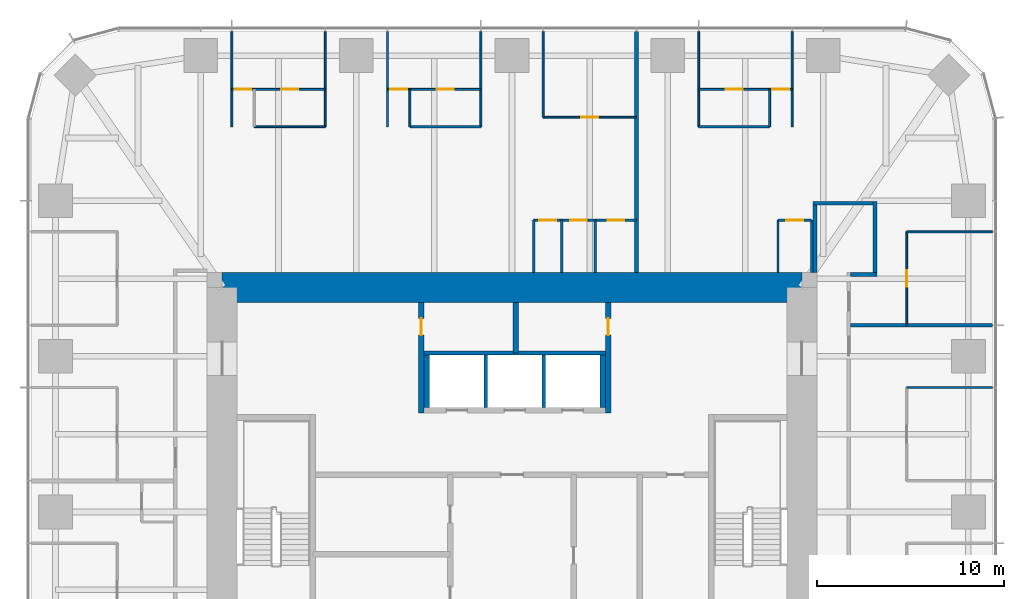
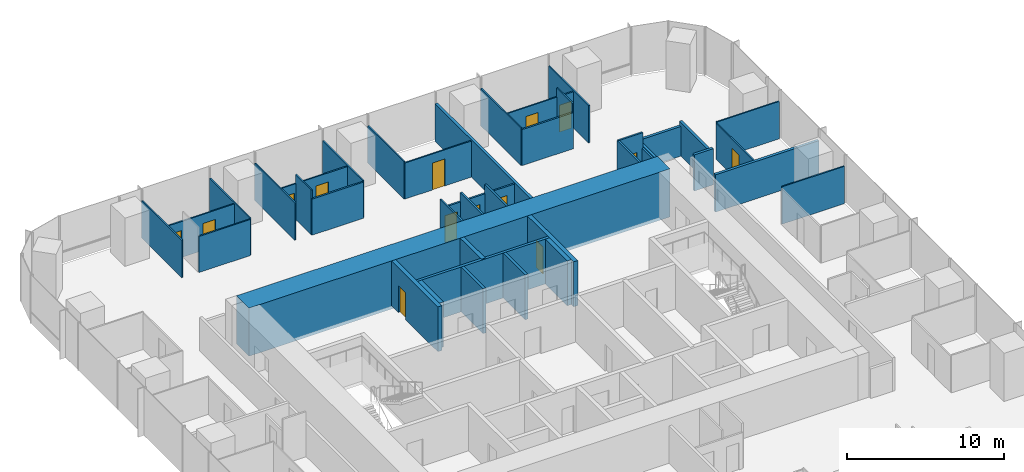
# One storey, part 11 of 13: 41 walls, 14 doors, 14 openings.
"""IFC4 building model written with IfcOpenShell, lengths in metres."""

from ifc_helpers import new_model, si_unit, direction, frame, frame_2d, origin, place, context, subcontext, project, spatial, rectangle, extrude, material, layer, layer_set, type_object, element, fill, save


model = new_model("IFC4")

# Units and contexts
model_context = context("Model", 3, precision=1e-05, world=origin(), true_north=direction((0.0, 1.0)))
body_context = subcontext(model_context, "Body", "Model", "MODEL_VIEW")
ifc_project = project(units=[si_unit("LENGTHUNIT", "METRE"), si_unit("AREAUNIT", "SQUARE_METRE"), si_unit("VOLUMEUNIT", "CUBIC_METRE"), si_unit("PLANEANGLEUNIT", "RADIAN"), si_unit("MASSUNIT", "GRAM", prefix="KILO")], contexts=[model_context])

# Site, building, storey
site_placement = place(None, origin())
site = spatial("IfcSite", under=ifc_project, at=site_placement, CompositionType="ELEMENT")
building_placement = place(site_placement, origin())
building = spatial("IfcBuilding", under=site, at=building_placement, Name="Khuree Lantern Residences", CompositionType="ELEMENT")
storey_placement = place(building_placement, frame((0.0, 0.0, 255.75)))
storey = spatial("IfcBuildingStorey", under=building, at=storey_placement, Name="L64", CompositionType="ELEMENT", Elevation=255.75)

# Wall
ifc_material_1 = material(Name="Moisture-resistant gypsum board on steel studs", Category="steel")
ifc_layer_1 = layer(ifc_material_1, 0.125)
ifc_layer_set_1 = layer_set([ifc_layer_1], Name="BATHROOM WALL BTW125")
wall_type_1 = type_object("IfcWallType", Name="BATHROOM WALL BTW125", PredefinedType="PARTITIONING", material=ifc_layer_set_1)
wall_1_placement = place(storey_placement, frame((13.77587890625, 20.594970703125, 0.0), z_axis=(0.0, 0.0, 1.0), x_axis=(-1.0, 0.0, 0.0)))
element("IfcWall", 1, at=wall_1_placement, inside=storey, type_object=wall_type_1, Name="L64 BATHROOM WALL 02", PredefinedType="PARTITIONING", context=body_context, shape_type="SweptSolid", body=[
    extrude(rectangle(XDim=3.7919921875, YDim=0.125, at=frame_2d((1.89599609375, 0.0))), origin(), (0.0, 0.0, 1.0), 2.81005859375),
])

# Wall, opening, door
wall_2_placement = place(storey_placement, frame((16.0166015625, 15.60009765625, 0.0), z_axis=(0.0, 0.0, 1.0), x_axis=(-1.0, 0.0, 0.0)))
wall_2 = element("IfcWall", 2, at=wall_2_placement, inside=storey, type_object=wall_type_1, Name="L64 BATHROOM WALL 02", PredefinedType="PARTITIONING", context=body_context, shape_type="SweptSolid", body=[
    extrude(rectangle(XDim=1.800048828125, YDim=0.125, at=frame_2d((0.89990234375, 0.0))), origin(), (0.0, 0.0, 1.0), 3.5),
])
opening_1_placement = place(wall_2_placement, frame((0.449951171875, 0.0, 0.0)))
opening_1 = element("IfcOpeningElement", 3, at=opening_1_placement, cuts=wall_2, Name="Opening 64-029", PredefinedType="OPENING", context=body_context, shape_type="SweptSolid", body=[
    extrude(rectangle(XDim=0.89990234375, YDim=2.10009765625, at=frame_2d((0.449951171875, 1.050048828125))), frame((0.0, 0.072509765625, 0.0), z_axis=(0.0, -1.0, 0.0), x_axis=(1.0, 0.0, 0.0)), (0.0, 0.0, 1.0), 0.14501953125),
])
ifc_material_2 = material(Name="Timber door leaf in hardwood frame", Category="wood")
door_type_1 = type_object("IfcDoorType", Name="BATHROOM DOOR 900X2100", OperationType="SINGLE_SWING_LEFT", PredefinedType="DOOR", material=ifc_material_2)
door_1_placement = place(opening_1_placement, origin())
door_1 = element("IfcDoor", 4, at=door_1_placement, inside=storey, type_object=door_type_1, Name="Bathroom door 64-029", OperationType="SINGLE_SWING_LEFT", OverallHeight=2.10009765625, OverallWidth=0.89990234375, PredefinedType="DOOR", context=body_context, shape_type="SweptSolid", body=[
    extrude(rectangle(XDim=0.89990234375, YDim=2.10009765625, at=frame_2d((0.449951171875, 1.050048828125))), frame((0.0, 0.02490234375, 0.0), z_axis=(0.0, -1.0, 0.0), x_axis=(1.0, 0.0, 0.0)), (0.0, 0.0, 1.0), 0.050048828125),
])
fill(opening_1, door_1)

# Walls
wall_3_placement = place(storey_placement, frame((16.0166015625, 12.800048828125, 0.0), z_axis=(0.0, 0.0, 1.0), x_axis=(0.0, 1.0, 0.0)))
element("IfcWall", 5, at=wall_3_placement, inside=storey, type_object=wall_type_1, Name="L64 BATHROOM WALL 02", PredefinedType="PARTITIONING", context=body_context, shape_type="SweptSolid", body=[
    extrude(rectangle(XDim=2.800048828125, YDim=0.125, at=frame_2d((1.39990234375, 0.0))), origin(), (0.0, 0.0, 1.0), 2.300048828125),
])
wall_4_placement = place(storey_placement, frame((14.216552734375, 12.800048828125, 0.0), z_axis=(0.0, 0.0, 1.0), x_axis=(0.0, 1.0, 0.0)))
element("IfcWall", 6, at=wall_4_placement, inside=storey, type_object=wall_type_1, Name="L64 BATHROOM WALL 02", PredefinedType="PARTITIONING", context=body_context, shape_type="SweptSolid", body=[
    extrude(rectangle(XDim=2.800048828125, YDim=0.125, at=frame_2d((1.39990234375, 0.0))), origin(), (0.0, 0.0, 1.0), 3.5),
])
wall_5_placement = place(storey_placement, frame((-1.6640625, 20.594970703125, 0.0), z_axis=(0.0, 0.0, 1.0), x_axis=(-1.0, 0.0, 0.0)))
element("IfcWall", 7, at=wall_5_placement, inside=storey, type_object=wall_type_1, Name="L64 BATHROOM WALL 03", PredefinedType="PARTITIONING", context=body_context, shape_type="SweptSolid", body=[
    extrude(rectangle(XDim=3.7919921875, YDim=0.125, at=frame_2d((1.89599609375, 0.0))), origin(), (0.0, 0.0, 1.0), 2.81005859375),
])

# Wall, openings, doors
wall_6_placement = place(storey_placement, frame((6.656005859375, 15.60009765625, 0.0), z_axis=(0.0, 0.0, 1.0), x_axis=(-1.0, 0.0, 0.0)))
wall_6 = element("IfcWall", 8, at=wall_6_placement, inside=storey, type_object=wall_type_1, Name="L64 BATHROOM WALL 03", PredefinedType="PARTITIONING", context=body_context, shape_type="SweptSolid", body=[
    extrude(rectangle(XDim=5.5, YDim=0.125, at=frame_2d((2.75, 0.0))), origin(), (0.0, 0.0, 1.0), 2.81005859375),
])
opening_2_placement = place(wall_6_placement, frame((0.64990234375, 0.0, 0.0)))
opening_2 = element("IfcOpeningElement", 9, at=opening_2_placement, cuts=wall_6, Name="Opening 64-038", PredefinedType="OPENING", context=body_context, shape_type="SweptSolid", body=[
    extrude(rectangle(XDim=0.89990234375, YDim=2.10009765625, at=frame_2d((0.449951171875, 1.050048828125))), frame((0.0, 0.072509765625, 0.0), z_axis=(0.0, -1.0, 0.0), x_axis=(1.0, 0.0, 0.0)), (0.0, 0.0, 1.0), 0.14501953125),
])
opening_3_placement = place(wall_6_placement, frame((2.64990234375, 0.0, 0.0)))
opening_3 = element("IfcOpeningElement", 10, at=opening_3_placement, cuts=wall_6, Name="Opening 64-039", PredefinedType="OPENING", context=body_context, shape_type="SweptSolid", body=[
    extrude(rectangle(XDim=0.89990234375, YDim=2.10009765625, at=frame_2d((0.449951171875, 1.050048828125))), frame((0.0, 0.072509765625, 0.0), z_axis=(0.0, -1.0, 0.0), x_axis=(1.0, 0.0, 0.0)), (0.0, 0.0, 1.0), 0.14501953125),
])
opening_4_placement = place(wall_6_placement, frame((4.300048828125, 0.0, 0.0)))
opening_4 = element("IfcOpeningElement", 11, at=opening_4_placement, cuts=wall_6, Name="Opening 64-040", PredefinedType="OPENING", context=body_context, shape_type="SweptSolid", body=[
    extrude(rectangle(XDim=0.89990234375, YDim=2.10009765625, at=frame_2d((0.449951171875, 1.050048828125))), frame((0.0, 0.072509765625, 0.0), z_axis=(0.0, -1.0, 0.0), x_axis=(1.0, 0.0, 0.0)), (0.0, 0.0, 1.0), 0.14501953125),
])
door_2_placement = place(opening_2_placement, origin())
door_2 = element("IfcDoor", 12, at=door_2_placement, inside=storey, type_object=door_type_1, Name="Bathroom door 64-038", OperationType="SINGLE_SWING_LEFT", OverallHeight=2.10009765625, OverallWidth=0.89990234375, PredefinedType="DOOR", context=body_context, shape_type="SweptSolid", body=[
    extrude(rectangle(XDim=0.89990234375, YDim=2.10009765625, at=frame_2d((0.449951171875, 1.050048828125))), frame((0.0, 0.02490234375, 0.0), z_axis=(0.0, -1.0, 0.0), x_axis=(1.0, 0.0, 0.0)), (0.0, 0.0, 1.0), 0.050048828125),
])
fill(opening_2, door_2)
door_type_2 = type_object("IfcDoorType", Name="DOOR 900X2100", OperationType="SINGLE_SWING_LEFT", PredefinedType="DOOR", material=ifc_material_2)
door_3_placement = place(opening_3_placement, origin())
door_3 = element("IfcDoor", 13, at=door_3_placement, inside=storey, type_object=door_type_2, Name="Store door 64-039", OperationType="SINGLE_SWING_LEFT", OverallHeight=2.10009765625, OverallWidth=0.89990234375, PredefinedType="DOOR", context=body_context, shape_type="SweptSolid", body=[
    extrude(rectangle(XDim=0.89990234375, YDim=2.10009765625, at=frame_2d((0.449951171875, 1.050048828125))), frame((0.0, 0.02490234375, 0.0), z_axis=(0.0, -1.0, 0.0), x_axis=(1.0, 0.0, 0.0)), (0.0, 0.0, 1.0), 0.050048828125),
])
fill(opening_3, door_3)
door_type_3 = type_object("IfcDoorType", Name="WC DOOR 900X2100", OperationType="SINGLE_SWING_LEFT", PredefinedType="DOOR", material=ifc_material_2)
door_4_placement = place(opening_4_placement, origin())
door_4 = element("IfcDoor", 14, at=door_4_placement, inside=storey, type_object=door_type_3, Name="WC door 64-040", OperationType="SINGLE_SWING_LEFT", OverallHeight=2.10009765625, OverallWidth=0.89990234375, PredefinedType="DOOR", context=body_context, shape_type="SweptSolid", body=[
    extrude(rectangle(XDim=0.89990234375, YDim=2.10009765625, at=frame_2d((0.449951171875, 1.050048828125))), frame((0.0, 0.02490234375, 0.0), z_axis=(0.0, -1.0, 0.0), x_axis=(1.0, 0.0, 0.0)), (0.0, 0.0, 1.0), 0.050048828125),
])
fill(opening_4, door_4)

# Walls
for number, where, z_axis, x_axis, name in (
    (15, (4.4560546875, 12.800048828125, 0.0), (0.0, 0.0, 1.0), (0.0, 1.0, 0.0), "L64 BATHROOM WALL 03"),
    (16, (2.656005859375, 12.800048828125, 0.0), (0.0, 0.0, 1.0), (0.0, 1.0, 0.0), "L64 BATHROOM WALL 03"),
    (17, (1.156005859375, 12.800048828125, 0.0), (0.0, 0.0, 1.0), (0.0, 1.0, 0.0), "L64 BATHROOM WALL 03"),
):
    element("IfcWall", number, at=place(storey_placement, frame(where, z_axis=z_axis, x_axis=x_axis)), inside=storey, type_object=wall_type_1, Name=name, PredefinedType="PARTITIONING", context=body_context, shape_type="SweptSolid", body=[
        extrude(rectangle(XDim=2.800048828125, YDim=0.125, at=frame_2d((1.39990234375, 0.0))), origin(), (0.0, 0.0, 1.0), 3.5),
    ])
ifc_material_3 = material(Name="Dense concrete blockwork", Category="masonry")
ifc_layer_2 = layer(ifc_material_3, 0.300048828125)
ifc_layer_set_2 = layer_set([ifc_layer_2], Name="CORE PARTITION WALL CPW300 EI 120")
wall_type_2 = type_object("IfcWallType", Name="CORE PARTITION WALL CPW300 EI 120", PredefinedType="PARTITIONING", material=ifc_layer_set_2)
for number, where, z_axis, x_axis, name in (
    (18, (-4.550048828125, 5.60009765625, 0.0), (0.0, 0.0, 1.0), (0.0, 1.0, 0.0), "L64 CORE WALL PHW"),
    (19, (4.85009765625, 5.60009765625, 0.0), (0.0, 0.0, 1.0), (0.0, 1.0, 0.0), "L64 CORE WALL PHE"),
):
    element("IfcWall", number, at=place(storey_placement, frame(where, z_axis=z_axis, x_axis=x_axis)), inside=storey, type_object=wall_type_2, Name=name, PredefinedType="PARTITIONING", context=body_context, shape_type="SweptSolid", body=[
        extrude(rectangle(XDim=2.7998046875, YDim=0.300048828125, at=frame_2d((1.39990234375, 0.0))), origin(), (0.0, 0.0, 1.0), 3.5),
    ])

# Wall, opening, door
wall_7_placement = place(storey_placement, frame((-4.85009765625, 5.300048828125, 0.0), z_axis=(0.0, 0.0, 1.0), x_axis=(0.0, 1.0, 0.0)))
wall_7 = element("IfcWall", 20, at=wall_7_placement, inside=storey, type_object=wall_type_2, Name="L64 CORE WALL NW", PredefinedType="PARTITIONING", context=body_context, shape_type="SweptSolid", body=[
    extrude(rectangle(XDim=5.89990234375, YDim=0.300048828125, at=frame_2d((2.949951171875, 0.0))), origin(), (0.0, 0.0, 1.0), 3.5),
])
opening_5_placement = place(wall_7_placement, frame((4.14990234375, 0.0, 0.0)))
opening_5 = element("IfcOpeningElement", 21, at=opening_5_placement, cuts=wall_7, Name="Opening 64-020", PredefinedType="OPENING", context=body_context, shape_type="SweptSolid", body=[
    extrude(rectangle(XDim=0.89990234375, YDim=2.10009765625, at=frame_2d((0.449951171875, 1.050048828125))), frame((0.0, 0.16015625, 0.0), z_axis=(0.0, -1.0, 0.0), x_axis=(1.0, 0.0, 0.0)), (0.0, 0.0, 1.0), 0.320068359375),
])
door_type_4 = type_object("IfcDoorType", Name="DOOR 900X2100 RIGHT HAND", OperationType="SINGLE_SWING_RIGHT", PredefinedType="DOOR", material=ifc_material_2)
door_5_placement = place(opening_5_placement, origin())
door_5 = element("IfcDoor", 22, at=door_5_placement, inside=storey, type_object=door_type_4, Name="Refuse holding room door 64-020", OperationType="SINGLE_SWING_RIGHT", OverallHeight=2.10009765625, OverallWidth=0.89990234375, PredefinedType="DOOR", context=body_context, shape_type="SweptSolid", body=[
    extrude(rectangle(XDim=0.89990234375, YDim=2.10009765625, at=frame_2d((0.449951171875, 1.050048828125))), frame((0.0, 0.02490234375, 0.0), z_axis=(0.0, -1.0, 0.0), x_axis=(1.0, 0.0, 0.0)), (0.0, 0.0, 1.0), 0.050048828125),
])
fill(opening_5, door_5)

wall_8_placement = place(storey_placement, frame((5.14990234375, 5.300048828125, 0.0), z_axis=(0.0, 0.0, 1.0), x_axis=(0.0, 1.0, 0.0)))
wall_8 = element("IfcWall", 23, at=wall_8_placement, inside=storey, type_object=wall_type_2, Name="L64 CORE WALL NE", PredefinedType="PARTITIONING", context=body_context, shape_type="SweptSolid", body=[
    extrude(rectangle(XDim=5.89990234375, YDim=0.300048828125, at=frame_2d((2.949951171875, 0.0))), origin(), (0.0, 0.0, 1.0), 3.5),
])
opening_6_placement = place(wall_8_placement, frame((4.14990234375, 0.0, 0.0)))
opening_6 = element("IfcOpeningElement", 24, at=opening_6_placement, cuts=wall_8, Name="Opening 64-021", PredefinedType="OPENING", context=body_context, shape_type="SweptSolid", body=[
    extrude(rectangle(XDim=0.89990234375, YDim=2.10009765625, at=frame_2d((0.449951171875, 1.050048828125))), frame((0.0, 0.16015625, 0.0), z_axis=(0.0, -1.0, 0.0), x_axis=(1.0, 0.0, 0.0)), (0.0, 0.0, 1.0), 0.320068359375),
])
door_6_placement = place(opening_6_placement, origin())
door_6 = element("IfcDoor", 25, at=door_6_placement, inside=storey, type_object=door_type_2, Name="Housekeeping store door 64-021", OperationType="SINGLE_SWING_LEFT", OverallHeight=2.10009765625, OverallWidth=0.89990234375, PredefinedType="DOOR", context=body_context, shape_type="SweptSolid", body=[
    extrude(rectangle(XDim=0.89990234375, YDim=2.10009765625, at=frame_2d((0.449951171875, 1.050048828125))), frame((0.0, 0.02490234375, 0.0), z_axis=(0.0, -1.0, 0.0), x_axis=(1.0, 0.0, 0.0)), (0.0, 0.0, 1.0), 0.050048828125),
])
fill(opening_6, door_6)

# Walls
wall_9_placement = place(storey_placement, frame((0.199951171875, 8.5, 0.0), z_axis=(0.0, 0.0, 1.0), x_axis=(0.0, 1.0, 0.0)))
element("IfcWall", 26, at=wall_9_placement, inside=storey, type_object=wall_type_2, Name="L64 CORE WALL NX", PredefinedType="PARTITIONING", context=body_context, shape_type="SweptSolid", body=[
    extrude(rectangle(XDim=2.699951171875, YDim=0.300048828125, at=frame_2d((1.35009765625, 0.0))), origin(), (0.0, 0.0, 1.0), 3.5),
])
ifc_material_4 = material(Name="Gypsum board on steel studs", Category="steel")
ifc_layer_3 = layer(ifc_material_4, 0.199951171875)
ifc_layer_set_3 = layer_set([ifc_layer_3], Name="CORRIDOR WALL CRW200 EI 60")
wall_type_3 = type_object("IfcWallType", Name="CORRIDOR WALL CRW200 EI 60", PredefinedType="PARTITIONING", material=ifc_layer_set_3)
wall_10_placement = place(storey_placement, frame((18.10009765625, 12.699951171875, 0.0), z_axis=(0.0, 0.0, 1.0), x_axis=(1.0, 0.0, 0.0)))
element("IfcWall", 27, at=wall_10_placement, inside=storey, type_object=wall_type_3, Name="L64 RESIDENTS LOUNGE WALL", PredefinedType="PARTITIONING", context=body_context, shape_type="SweptSolid", body=[
    extrude(rectangle(XDim=1.39990234375, YDim=0.199951171875, at=frame_2d((0.699951171875, 0.0))), origin(), (0.0, 0.0, 1.0), 2.81005859375),
])
wall_11_placement = place(storey_placement, frame((19.39990234375, 12.60009765625, 0.0), z_axis=(0.0, 0.0, 1.0), x_axis=(0.0, 1.0, 0.0)))
element("IfcWall", 28, at=wall_11_placement, inside=storey, type_object=wall_type_3, Name="L64 RESIDENTS LOUNGE WALL", PredefinedType="PARTITIONING", context=body_context, shape_type="SweptSolid", body=[
    extrude(rectangle(XDim=4.0, YDim=0.199951171875, at=frame_2d((2.0, 0.0))), origin(), (0.0, 0.0, 1.0), 2.60009765625),
])
wall_12_placement = place(storey_placement, frame((19.300048828125, 16.5, 0.0), z_axis=(0.0, 0.0, 1.0), x_axis=(-1.0, 0.0, 0.0)))
element("IfcWall", 29, at=wall_12_placement, inside=storey, type_object=wall_type_3, Name="L64 RESIDENTS LOUNGE WALL", PredefinedType="PARTITIONING", context=body_context, shape_type="SweptSolid", body=[
    extrude(rectangle(XDim=3.199951171875, YDim=0.199951171875, at=frame_2d((1.60009765625, 0.0))), origin(), (0.0, 0.0, 1.0), 2.300048828125),
])
wall_13_placement = place(storey_placement, frame((16.199951171875, 16.60009765625, 0.0), z_axis=(0.0, 0.0, 1.0), x_axis=(0.0, -1.0, 0.0)))
element("IfcWall", 30, at=wall_13_placement, inside=storey, type_object=wall_type_3, Name="L64 RESIDENTS LOUNGE WALL", PredefinedType="PARTITIONING", context=body_context, shape_type="SweptSolid", body=[
    extrude(rectangle(XDim=3.800048828125, YDim=0.199951171875, at=frame_2d((1.89990234375, 0.0))), origin(), (0.0, 0.0, 1.0), 2.300048828125),
])
ifc_material_5 = material(Name="Concrete C50/60", Category="concrete")
ifc_layer_4 = layer(ifc_material_5, 1.60009765625)
ifc_layer_set_4 = layer_set([ifc_layer_4], Name="CW1600-C50 CORE WALL C50 1600")
wall_type_4 = type_object("IfcWallType", Name="CW1600-C50 CORE WALL C50 1600", PredefinedType="SHEAR", material=ifc_layer_set_4)
wall_14_placement = place(storey_placement, frame((-15.5, 12.0, -0.25), z_axis=(0.0, 0.0, 1.0), x_axis=(1.0, 0.0, 0.0)))
element("IfcWall", 31, at=wall_14_placement, inside=storey, type_object=wall_type_4, Name="Core wall N", PredefinedType="SHEAR", context=body_context, shape_type="SweptSolid", body=[
    extrude(rectangle(XDim=31.0, YDim=1.60009765625, at=frame_2d((15.5, 0.0))), origin(), (0.0, 0.0, 1.0), 3.75),
])
ifc_layer_5 = layer(ifc_material_4, 0.199951171875)
ifc_layer_set_5 = layer_set([ifc_layer_5], Name="DEMISING WALL DMW200 EI 90")
wall_type_5 = type_object("IfcWallType", Name="DEMISING WALL DMW200 EI 90", PredefinedType="PARTITIONING", material=ifc_layer_set_5)
wall_15_placement = place(storey_placement, frame((18.10009765625, 9.98388671875, 0.0), z_axis=(0.0, 0.0, 1.0), x_axis=(1.0, 0.0, 0.0)))
element("IfcWall", 32, at=wall_15_placement, inside=storey, type_object=wall_type_5, Name="L64 DEMISING WALL 02", PredefinedType="PARTITIONING", context=body_context, shape_type="SweptSolid", body=[
    extrude(rectangle(XDim=7.599853515625, YDim=0.199951171875, at=frame_2d((3.7998046875, 0.0))), origin(), (0.0, 0.0, 1.0), 2.909912109375),
])
wall_16_placement = place(storey_placement, frame((6.656005859375, 12.800048828125, 0.0), z_axis=(0.0, 0.0, 1.0), x_axis=(0.0, 1.0, 0.0)))
element("IfcWall", 33, at=wall_16_placement, inside=storey, type_object=wall_type_5, Name="L64 DEMISING WALL 03", PredefinedType="PARTITIONING", context=body_context, shape_type="SweptSolid", body=[
    extrude(rectangle(XDim=12.89990234375, YDim=0.199951171875, at=frame_2d((6.449951171875, 0.0))), origin(), (0.0, 0.0, 1.0), 2.909912109375),
])
ifc_layer_6 = layer(ifc_material_4, 0.10009765625)
ifc_layer_set_6 = layer_set([ifc_layer_6], Name="PARTITION PT100")
wall_type_6 = type_object("IfcWallType", Name="PARTITION PT100", PredefinedType="PARTITIONING", material=ifc_layer_set_6)
for number, where, z_axis, x_axis, name in (
    (34, (21.10009765625, 6.656005859375, 0.0), (0.0, 0.0, 1.0), (1.0, 0.0, 0.0), "L64 PARTITION 01"),
    (35, (21.10009765625, 14.97607421875, 0.0), (0.0, 0.0, 1.0), (1.0, 0.0, 0.0), "L64 PARTITION 02"),
):
    element("IfcWall", number, at=place(storey_placement, frame(where, z_axis=z_axis, x_axis=x_axis)), inside=storey, type_object=wall_type_6, Name=name, PredefinedType="PARTITIONING", context=body_context, shape_type="SweptSolid", body=[
        extrude(rectangle(XDim=4.599853515625, YDim=0.10009765625, at=frame_2d((2.2998046875, 0.0))), origin(), (0.0, 0.0, 1.0), 2.909912109375),
    ])
for number, where, z_axis, x_axis, name in (
    (36, (14.97607421875, 20.594970703125, 0.0), (0.0, 0.0, 1.0), (0.0, 1.0, 0.0), "L64 PARTITION 02"),
    (37, (9.98388671875, 20.594970703125, 0.0), (0.0, 0.0, 1.0), (0.0, 1.0, 0.0), "L64 PARTITION 02"),
):
    element("IfcWall", number, at=place(storey_placement, frame(where, z_axis=z_axis, x_axis=x_axis)), inside=storey, type_object=wall_type_6, Name=name, PredefinedType="PARTITIONING", context=body_context, shape_type="SweptSolid", body=[
        extrude(rectangle(XDim=5.10498046875, YDim=0.10009765625, at=frame_2d((2.552490234375, 0.0))), origin(), (0.0, 0.0, 1.0), 2.909912109375),
    ])
wall_17_placement = place(storey_placement, frame((1.6640625, 21.10009765625, 0.0), z_axis=(0.0, 0.0, 1.0), x_axis=(0.0, 1.0, 0.0)))
element("IfcWall", 38, at=wall_17_placement, inside=storey, type_object=wall_type_6, Name="L64 PARTITION 03", PredefinedType="PARTITIONING", context=body_context, shape_type="SweptSolid", body=[
    extrude(rectangle(XDim=4.599853515625, YDim=0.10009765625, at=frame_2d((2.2998046875, 0.0))), origin(), (0.0, 0.0, 1.0), 2.909912109375),
])
for number, where, z_axis, x_axis, name in (
    (39, (-1.6640625, 20.594970703125, 0.0), (0.0, 0.0, 1.0), (0.0, 1.0, 0.0), "L64 PARTITION 03"),
    (40, (-6.656005859375, 20.594970703125, 0.0), (0.0, 0.0, 1.0), (0.0, 1.0, 0.0), "L64 PARTITION 03"),
    (41, (-9.98388671875, 20.594970703125, 0.0), (0.0, 0.0, 1.0), (0.0, 1.0, 0.0), "L64 PARTITION 03"),
    (42, (-14.97607421875, 20.594970703125, 0.0), (0.0, 0.0, 1.0), (0.0, 1.0, 0.0), "L64 PARTITION 03"),
):
    element("IfcWall", number, at=place(storey_placement, frame(where, z_axis=z_axis, x_axis=x_axis)), inside=storey, type_object=wall_type_6, Name=name, PredefinedType="PARTITIONING", context=body_context, shape_type="SweptSolid", body=[
        extrude(rectangle(XDim=5.10498046875, YDim=0.10009765625, at=frame_2d((2.552490234375, 0.0))), origin(), (0.0, 0.0, 1.0), 2.909912109375),
    ])

# Wall, opening, door
wall_18_placement = place(storey_placement, frame((21.10009765625, 9.98388671875, 0.0), z_axis=(0.0, 0.0, 1.0), x_axis=(0.0, 1.0, 0.0)))
wall_18 = element("IfcWall", 43, at=wall_18_placement, inside=storey, type_object=wall_type_6, Name="L64 PARTITION 02", PredefinedType="PARTITIONING", context=body_context, shape_type="SweptSolid", body=[
    extrude(rectangle(XDim=4.9921875, YDim=0.10009765625, at=frame_2d((2.49609375, 0.0))), origin(), (0.0, 0.0, 1.0), 2.81005859375),
])
opening_7_placement = place(wall_18_placement, frame((2.0458984375, 0.0, 0.0)))
opening_7 = element("IfcOpeningElement", 44, at=opening_7_placement, cuts=wall_18, Name="Opening 64-026", PredefinedType="OPENING", context=body_context, shape_type="SweptSolid", body=[
    extrude(rectangle(XDim=0.89990234375, YDim=2.10009765625, at=frame_2d((0.449951171875, 1.050048828125))), frame((0.0, 0.06005859375, 0.0), z_axis=(0.0, -1.0, 0.0), x_axis=(1.0, 0.0, 0.0)), (0.0, 0.0, 1.0), 0.1201171875),
])
door_type_5 = type_object("IfcDoorType", Name="BEDROOM DOOR 900X2100", OperationType="SINGLE_SWING_LEFT", PredefinedType="DOOR", material=ifc_material_2)
door_7_placement = place(opening_7_placement, origin())
door_7 = element("IfcDoor", 45, at=door_7_placement, inside=storey, type_object=door_type_5, Name="Bedroom door 64-026", OperationType="SINGLE_SWING_LEFT", OverallHeight=2.10009765625, OverallWidth=0.89990234375, PredefinedType="DOOR", context=body_context, shape_type="SweptSolid", body=[
    extrude(rectangle(XDim=0.89990234375, YDim=2.10009765625, at=frame_2d((0.449951171875, 1.050048828125))), frame((0.0, 0.02490234375, 0.0), z_axis=(0.0, -1.0, 0.0), x_axis=(1.0, 0.0, 0.0)), (0.0, 0.0, 1.0), 0.050048828125),
])
fill(opening_7, door_7)

# Wall, openings, doors
wall_19_placement = place(storey_placement, frame((14.97607421875, 22.594970703125, 0.0), z_axis=(0.0, 0.0, 1.0), x_axis=(-1.0, 0.0, 0.0)))
wall_19 = element("IfcWall", 46, at=wall_19_placement, inside=storey, type_object=wall_type_6, Name="L64 PARTITION 02", PredefinedType="PARTITIONING", context=body_context, shape_type="SweptSolid", body=[
    extrude(rectangle(XDim=4.9921875, YDim=0.10009765625, at=frame_2d((2.49609375, 0.0))), origin(), (0.0, 0.0, 1.0), 2.81005859375),
])
opening_8_placement = place(wall_19_placement, frame((0.14990234375, 0.0, 0.0)))
opening_8 = element("IfcOpeningElement", 47, at=opening_8_placement, cuts=wall_19, Name="Opening 64-027", PredefinedType="OPENING", context=body_context, shape_type="SweptSolid", body=[
    extrude(rectangle(XDim=0.89990234375, YDim=2.10009765625, at=frame_2d((0.449951171875, 1.050048828125))), frame((0.0, 0.06005859375, 0.0), z_axis=(0.0, -1.0, 0.0), x_axis=(1.0, 0.0, 0.0)), (0.0, 0.0, 1.0), 0.1201171875),
])
opening_9_placement = place(wall_19_placement, frame((2.64599609375, 0.0, 0.0)))
opening_9 = element("IfcOpeningElement", 48, at=opening_9_placement, cuts=wall_19, Name="Opening 64-028", PredefinedType="OPENING", context=body_context, shape_type="SweptSolid", body=[
    extrude(rectangle(XDim=0.89990234375, YDim=2.10009765625, at=frame_2d((0.449951171875, 1.050048828125))), frame((0.0, 0.06005859375, 0.0), z_axis=(0.0, -1.0, 0.0), x_axis=(1.0, 0.0, 0.0)), (0.0, 0.0, 1.0), 0.1201171875),
])
door_8_placement = place(opening_9_placement, origin())
door_8 = element("IfcDoor", 49, at=door_8_placement, inside=storey, type_object=door_type_1, Name="Bathroom door 64-028", OperationType="SINGLE_SWING_LEFT", OverallHeight=2.10009765625, OverallWidth=0.89990234375, PredefinedType="DOOR", context=body_context, shape_type="SweptSolid", body=[
    extrude(rectangle(XDim=0.89990234375, YDim=2.10009765625, at=frame_2d((0.449951171875, 1.050048828125))), frame((0.0, 0.02490234375, 0.0), z_axis=(0.0, -1.0, 0.0), x_axis=(1.0, 0.0, 0.0)), (0.0, 0.0, 1.0), 0.050048828125),
])
fill(opening_9, door_8)
door_9_placement = place(opening_8_placement, origin())
door_9 = element("IfcDoor", 50, at=door_9_placement, inside=storey, type_object=door_type_5, Name="Bedroom door 64-027", OperationType="SINGLE_SWING_LEFT", OverallHeight=2.10009765625, OverallWidth=0.89990234375, PredefinedType="DOOR", context=body_context, shape_type="SweptSolid", body=[
    extrude(rectangle(XDim=0.89990234375, YDim=2.10009765625, at=frame_2d((0.449951171875, 1.050048828125))), frame((0.0, 0.02490234375, 0.0), z_axis=(0.0, -1.0, 0.0), x_axis=(1.0, 0.0, 0.0)), (0.0, 0.0, 1.0), 0.050048828125),
])
fill(opening_8, door_9)

# Wall
wall_20_placement = place(storey_placement, frame((13.77587890625, 20.594970703125, 0.0), z_axis=(0.0, 0.0, 1.0), x_axis=(0.0, 1.0, 0.0)))
element("IfcWall", 51, at=wall_20_placement, inside=storey, type_object=wall_type_6, Name="L64 PARTITION 02", PredefinedType="PARTITIONING", context=body_context, shape_type="SweptSolid", body=[
    extrude(rectangle(XDim=2.0, YDim=0.10009765625, at=frame_2d((1.0, 0.0))), origin(), (0.0, 0.0, 1.0), 3.5),
])

# Wall, opening, door
wall_21_placement = place(storey_placement, frame((6.656005859375, 21.10009765625, 0.0), z_axis=(0.0, 0.0, 1.0), x_axis=(-1.0, 0.0, 0.0)))
wall_21 = element("IfcWall", 52, at=wall_21_placement, inside=storey, type_object=wall_type_6, Name="L64 PARTITION 03", PredefinedType="PARTITIONING", context=body_context, shape_type="SweptSolid", body=[
    extrude(rectangle(XDim=4.991943359375, YDim=0.10009765625, at=frame_2d((2.49609375, 0.0))), origin(), (0.0, 0.0, 1.0), 2.81005859375),
])
opening_10_placement = place(wall_21_placement, frame((2.0458984375, 0.0, 0.0)))
opening_10 = element("IfcOpeningElement", 53, at=opening_10_placement, cuts=wall_21, Name="Opening 64-031", PredefinedType="OPENING", context=body_context, shape_type="SweptSolid", body=[
    extrude(rectangle(XDim=0.89990234375, YDim=2.10009765625, at=frame_2d((0.449951171875, 1.050048828125))), frame((0.0, 0.06005859375, 0.0), z_axis=(0.0, -1.0, 0.0), x_axis=(1.0, 0.0, 0.0)), (0.0, 0.0, 1.0), 0.1201171875),
])
door_10_placement = place(opening_10_placement, origin())
door_10 = element("IfcDoor", 54, at=door_10_placement, inside=storey, type_object=door_type_5, Name="Bedroom door 64-031", OperationType="SINGLE_SWING_LEFT", OverallHeight=2.10009765625, OverallWidth=0.89990234375, PredefinedType="DOOR", context=body_context, shape_type="SweptSolid", body=[
    extrude(rectangle(XDim=0.89990234375, YDim=2.10009765625, at=frame_2d((0.449951171875, 1.050048828125))), frame((0.0, 0.02490234375, 0.0), z_axis=(0.0, -1.0, 0.0), x_axis=(1.0, 0.0, 0.0)), (0.0, 0.0, 1.0), 0.050048828125),
])
fill(opening_10, door_10)

# Wall, openings, doors
wall_22_placement = place(storey_placement, frame((-1.6640625, 22.594970703125, 0.0), z_axis=(0.0, 0.0, 1.0), x_axis=(-1.0, 0.0, 0.0)))
wall_22 = element("IfcWall", 55, at=wall_22_placement, inside=storey, type_object=wall_type_6, Name="L64 PARTITION 03", PredefinedType="PARTITIONING", context=body_context, shape_type="SweptSolid", body=[
    extrude(rectangle(XDim=4.991943359375, YDim=0.10009765625, at=frame_2d((2.49609375, 0.0))), origin(), (0.0, 0.0, 1.0), 2.81005859375),
])
opening_11_placement = place(wall_22_placement, frame((3.94189453125, 0.0, 0.0)))
opening_11 = element("IfcOpeningElement", 56, at=opening_11_placement, cuts=wall_22, Name="Opening 64-032", PredefinedType="OPENING", context=body_context, shape_type="SweptSolid", body=[
    extrude(rectangle(XDim=0.89990234375, YDim=2.10009765625, at=frame_2d((0.449951171875, 1.050048828125))), frame((0.0, 0.06005859375, 0.0), z_axis=(0.0, -1.0, 0.0), x_axis=(1.0, 0.0, 0.0)), (0.0, 0.0, 1.0), 0.1201171875),
])
opening_12_placement = place(wall_22_placement, frame((1.446044921875, 0.0, 0.0)))
opening_12 = element("IfcOpeningElement", 57, at=opening_12_placement, cuts=wall_22, Name="Opening 64-033", PredefinedType="OPENING", context=body_context, shape_type="SweptSolid", body=[
    extrude(rectangle(XDim=0.89990234375, YDim=2.10009765625, at=frame_2d((0.449951171875, 1.050048828125))), frame((0.0, 0.06005859375, 0.0), z_axis=(0.0, -1.0, 0.0), x_axis=(1.0, 0.0, 0.0)), (0.0, 0.0, 1.0), 0.1201171875),
])
door_11_placement = place(opening_12_placement, origin())
door_11 = element("IfcDoor", 58, at=door_11_placement, inside=storey, type_object=door_type_1, Name="Bathroom door 64-033", OperationType="SINGLE_SWING_LEFT", OverallHeight=2.10009765625, OverallWidth=0.89990234375, PredefinedType="DOOR", context=body_context, shape_type="SweptSolid", body=[
    extrude(rectangle(XDim=0.89990234375, YDim=2.10009765625, at=frame_2d((0.449951171875, 1.050048828125))), frame((0.0, 0.02490234375, 0.0), z_axis=(0.0, -1.0, 0.0), x_axis=(1.0, 0.0, 0.0)), (0.0, 0.0, 1.0), 0.050048828125),
])
fill(opening_12, door_11)
door_12_placement = place(opening_11_placement, origin())
door_12 = element("IfcDoor", 59, at=door_12_placement, inside=storey, type_object=door_type_5, Name="Bedroom door 64-032", OperationType="SINGLE_SWING_LEFT", OverallHeight=2.10009765625, OverallWidth=0.89990234375, PredefinedType="DOOR", context=body_context, shape_type="SweptSolid", body=[
    extrude(rectangle(XDim=0.89990234375, YDim=2.10009765625, at=frame_2d((0.449951171875, 1.050048828125))), frame((0.0, 0.02490234375, 0.0), z_axis=(0.0, -1.0, 0.0), x_axis=(1.0, 0.0, 0.0)), (0.0, 0.0, 1.0), 0.050048828125),
])
fill(opening_11, door_12)

# Wall
wall_23_placement = place(storey_placement, frame((-5.4560546875, 20.594970703125, 0.0), z_axis=(0.0, 0.0, 1.0), x_axis=(0.0, 1.0, 0.0)))
element("IfcWall", 60, at=wall_23_placement, inside=storey, type_object=wall_type_6, Name="L64 PARTITION 03", PredefinedType="PARTITIONING", context=body_context, shape_type="SweptSolid", body=[
    extrude(rectangle(XDim=2.0, YDim=0.10009765625, at=frame_2d((1.0, 0.0))), origin(), (0.0, 0.0, 1.0), 3.5),
])

# Wall, openings, doors
wall_24_placement = place(storey_placement, frame((-9.98388671875, 22.594970703125, 0.0), z_axis=(0.0, 0.0, 1.0), x_axis=(-1.0, 0.0, 0.0)))
wall_24 = element("IfcWall", 61, at=wall_24_placement, inside=storey, type_object=wall_type_6, Name="L64 PARTITION 03", PredefinedType="PARTITIONING", context=body_context, shape_type="SweptSolid", body=[
    extrude(rectangle(XDim=4.9921875, YDim=0.10009765625, at=frame_2d((2.49609375, 0.0))), origin(), (0.0, 0.0, 1.0), 2.81005859375),
])
opening_13_placement = place(wall_24_placement, frame((3.94189453125, 0.0, 0.0)))
opening_13 = element("IfcOpeningElement", 62, at=opening_13_placement, cuts=wall_24, Name="Opening 64-034", PredefinedType="OPENING", context=body_context, shape_type="SweptSolid", body=[
    extrude(rectangle(XDim=0.89990234375, YDim=2.10009765625, at=frame_2d((0.449951171875, 1.050048828125))), frame((0.0, 0.06005859375, 0.0), z_axis=(0.0, -1.0, 0.0), x_axis=(1.0, 0.0, 0.0)), (0.0, 0.0, 1.0), 0.1201171875),
])
opening_14_placement = place(wall_24_placement, frame((1.446044921875, 0.0, 0.0)))
opening_14 = element("IfcOpeningElement", 63, at=opening_14_placement, cuts=wall_24, Name="Opening 64-035", PredefinedType="OPENING", context=body_context, shape_type="SweptSolid", body=[
    extrude(rectangle(XDim=0.89990234375, YDim=2.10009765625, at=frame_2d((0.449951171875, 1.050048828125))), frame((0.0, 0.06005859375, 0.0), z_axis=(0.0, -1.0, 0.0), x_axis=(1.0, 0.0, 0.0)), (0.0, 0.0, 1.0), 0.1201171875),
])
door_13_placement = place(opening_13_placement, origin())
door_13 = element("IfcDoor", 64, at=door_13_placement, inside=storey, type_object=door_type_5, Name="Bedroom door 64-034", OperationType="SINGLE_SWING_LEFT", OverallHeight=2.10009765625, OverallWidth=0.89990234375, PredefinedType="DOOR", context=body_context, shape_type="SweptSolid", body=[
    extrude(rectangle(XDim=0.89990234375, YDim=2.10009765625, at=frame_2d((0.449951171875, 1.050048828125))), frame((0.0, 0.02490234375, 0.0), z_axis=(0.0, -1.0, 0.0), x_axis=(1.0, 0.0, 0.0)), (0.0, 0.0, 1.0), 0.050048828125),
])
fill(opening_13, door_13)
door_14_placement = place(opening_14_placement, origin())
door_14 = element("IfcDoor", 65, at=door_14_placement, inside=storey, type_object=door_type_2, Name="Wardrobe door 64-035", OperationType="SINGLE_SWING_LEFT", OverallHeight=2.10009765625, OverallWidth=0.89990234375, PredefinedType="DOOR", context=body_context, shape_type="SweptSolid", body=[
    extrude(rectangle(XDim=0.89990234375, YDim=2.10009765625, at=frame_2d((0.449951171875, 1.050048828125))), frame((0.0, 0.02490234375, 0.0), z_axis=(0.0, -1.0, 0.0), x_axis=(1.0, 0.0, 0.0)), (0.0, 0.0, 1.0), 0.050048828125),
])
fill(opening_14, door_14)

# Walls
wall_25_placement = place(storey_placement, frame((-9.98388671875, 20.594970703125, 0.0), z_axis=(0.0, 0.0, 1.0), x_axis=(-1.0, 0.0, 0.0)))
element("IfcWall", 66, at=wall_25_placement, inside=storey, type_object=wall_type_6, Name="L64 PARTITION 03", PredefinedType="PARTITIONING", context=body_context, shape_type="SweptSolid", body=[
    extrude(rectangle(XDim=3.7919921875, YDim=0.10009765625, at=frame_2d((1.89599609375, 0.0))), origin(), (0.0, 0.0, 1.0), 2.81005859375),
])
ifc_layer_7 = layer(ifc_material_3, 0.199951171875)
ifc_layer_set_7 = layer_set([ifc_layer_7], Name="SHAFT WALL SHW200 EI 120")
wall_type_7 = type_object("IfcWallType", Name="SHAFT WALL SHW200 EI 120", PredefinedType="PARTITIONING", material=ifc_layer_set_7)
wall_26_placement = place(storey_placement, frame((-4.699951171875, 8.5, 0.0), z_axis=(0.0, 0.0, 1.0), x_axis=(1.0, 0.0, 0.0)))
element("IfcWall", 67, at=wall_26_placement, inside=storey, type_object=wall_type_7, Name="L64 CORE WALL PHN", PredefinedType="PARTITIONING", context=body_context, shape_type="SweptSolid", body=[
    extrude(rectangle(XDim=9.699951171875, YDim=0.199951171875, at=frame_2d((4.85009765625, 0.0))), origin(), (0.0, 0.0, 1.0), 3.5),
])
for number, where, z_axis, x_axis, name in (
    (68, (-1.39990234375, 5.60009765625, 0.0), (0.0, 0.0, 1.0), (0.0, 1.0, 0.0), "L64 CORE WALL PHD1"),
    (69, (1.699951171875, 5.60009765625, 0.0), (0.0, 0.0, 1.0), (0.0, 1.0, 0.0), "L64 CORE WALL PHD2"),
):
    element("IfcWall", number, at=place(storey_placement, frame(where, z_axis=z_axis, x_axis=x_axis)), inside=storey, type_object=wall_type_7, Name=name, PredefinedType="PARTITIONING", context=body_context, shape_type="SweptSolid", body=[
        extrude(rectangle(XDim=2.7998046875, YDim=0.199951171875, at=frame_2d((1.39990234375, 0.0))), origin(), (0.0, 0.0, 1.0), 3.5),
    ])

save(model, "model.ifc")
